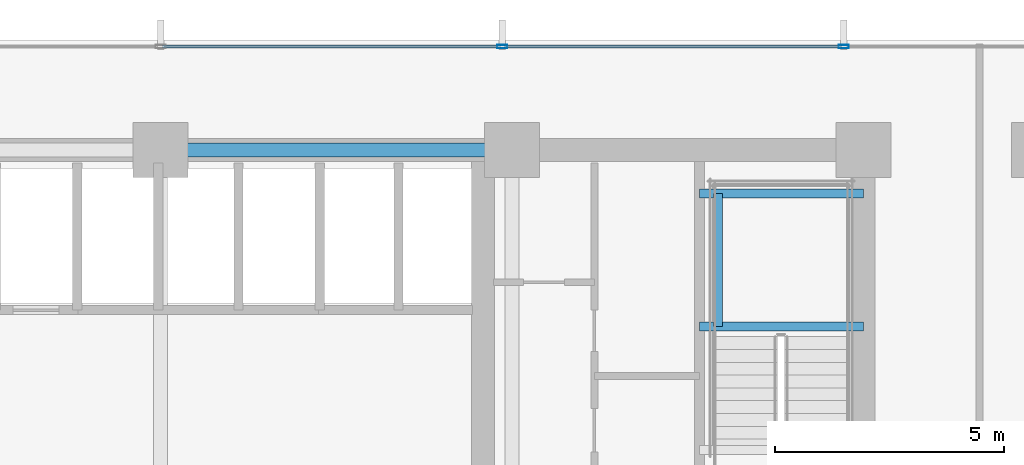
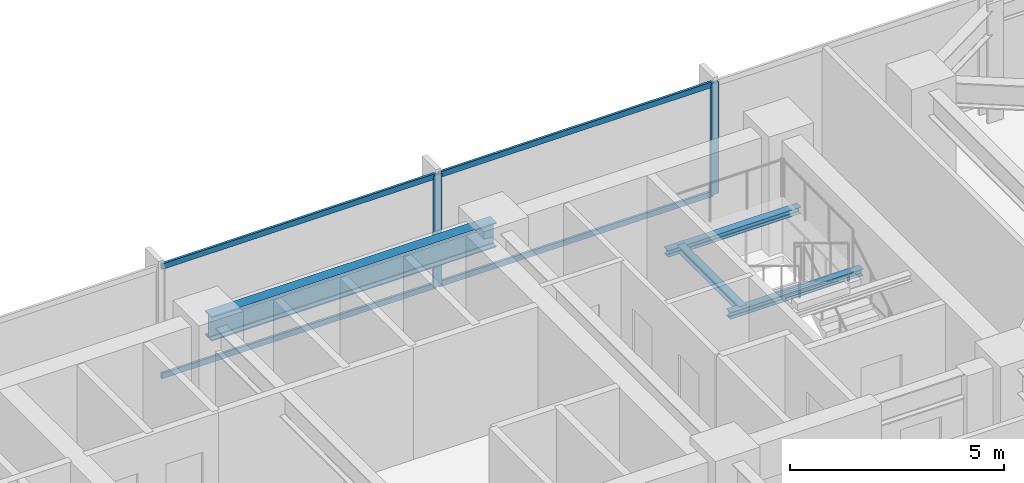
# One storey, part 19 of 33: 6 members, 4 beams, 1 element without a shape of its own.
"""IFC4 building model written with IfcOpenShell, lengths in metres."""

import ifcopenshell
import ifcopenshell.guid

model = None  # the IFC model being written
_history = None  # IfcOwnerHistory: only IFC2X3 demands one
_inside = {}  # id of a spatial element -> (the spatial element, [elements in it])
_under = {}  # id of a project, library or spatial element -> (it, [spatial elements below it])
_declared = {}  # id of a project -> (the project, [libraries it declares])
_typed = {}  # id of a type object -> (the type object, [elements of that type])
_made_of = {}  # id of a material, layer set ... -> (it, [elements and type objects made of it])


def new_model(schema):
    """Start an empty IFC model of exactly this schema.

    Asked for "IFC4X3", IfcOpenShell would pick the latest addendum, in which some entities
    have other attributes; the version numbers below select the first issue.
    IFC2X3 requires an IfcOwnerHistory on every rooted entity: one is made here for all.
    """
    global model, _history
    if schema == "IFC4X3":
        model = ifcopenshell.file(schema_version=(4, 3, 0, 0))
    else:
        model = ifcopenshell.file(schema=schema)
    _inside.clear()
    _under.clear()
    _declared.clear()
    _typed.clear()
    _made_of.clear()
    _history = None
    if model.schema == "IFC2X3":
        org = make("IfcOrganization", Name="unknown")
        user = make(
            "IfcPersonAndOrganization",
            ThePerson=make("IfcPerson", FamilyName="unknown"),
            TheOrganization=org,
        )
        app = make(
            "IfcApplication",
            ApplicationDeveloper=org,
            Version="unknown",
            ApplicationFullName="unknown",
            ApplicationIdentifier="unknown",
        )
        _history = make(
            "IfcOwnerHistory",
            OwningUser=user,
            OwningApplication=app,
            ChangeAction="ADDED",
            CreationDate=0,
        )
    return model


def make(cls, **values):
    """One entity of the class cls with the attributes given. An attribute that is None is left unset."""
    return model.create_entity(
        cls, **{name: value for name, value in values.items() if value is not None}
    )


def rooted(cls, **values):
    """An entity with a GlobalId (a new one), such as an element, a storey or a relation."""
    return make(cls, GlobalId=ifcopenshell.guid.new(), OwnerHistory=_history, **values)


def si_unit(unit_type, name, prefix=None):
    """IfcSIUnit, for example si_unit("LENGTHUNIT", "METRE", prefix="MILLI")."""
    return make("IfcSIUnit", UnitType=unit_type, Prefix=prefix, Name=name)


def assignment(units):
    """IfcUnitAssignment: the units of a project."""
    return None if units is None else make("IfcUnitAssignment", Units=units)


def point(xyz):
    """IfcCartesianPoint."""
    return None if xyz is None else make("IfcCartesianPoint", Coordinates=xyz)


def direction(xyz):
    """IfcDirection."""
    return None if xyz is None else make("IfcDirection", DirectionRatios=xyz)


def frame(location, z_axis=None, x_axis=None):
    """IfcAxis2Placement3D, a coordinate frame: its origin and axes. An axis left out is left unset."""
    return make(
        "IfcAxis2Placement3D",
        Location=point(location),
        Axis=direction(z_axis),
        RefDirection=direction(x_axis),
    )


def frame_2d(location, x_axis=None):
    """IfcAxis2Placement2D, a coordinate frame in the plane: its origin and x axis."""
    return make(
        "IfcAxis2Placement2D", Location=point(location), RefDirection=direction(x_axis)
    )


def origin():
    """The frame at (0, 0, 0) with its axes left unset."""
    return frame((0.0, 0.0, 0.0))


def origin_2d():
    """The frame at (0, 0) in the plane with its x axis left unset."""
    return frame_2d((0.0, 0.0))


def place(relative_to, where):
    """IfcLocalPlacement: puts the frame where relative to a parent placement (None: the world)."""
    return make(
        "IfcLocalPlacement", PlacementRelTo=relative_to, RelativePlacement=where
    )


def context(
    kind, dimensions, precision=None, world=None, true_north=None, identifier=None
):
    """IfcGeometricRepresentationContext, for example the 3D "Model" context."""
    return make(
        "IfcGeometricRepresentationContext",
        ContextIdentifier=identifier,
        ContextType=kind,
        CoordinateSpaceDimension=dimensions,
        Precision=precision,
        WorldCoordinateSystem=world,
        TrueNorth=true_north,
    )


def subcontext(parent, identifier, kind, view, scale=None):
    """IfcGeometricRepresentationSubContext, for example "Body" below "Model"."""
    return make(
        "IfcGeometricRepresentationSubContext",
        ContextIdentifier=identifier,
        ContextType=kind,
        ParentContext=parent,
        TargetScale=scale,
        TargetView=view,
    )


def project(units=None, contexts=None):
    """IfcProject with its units and contexts."""
    return rooted(
        "IfcProject",
        Name="project",
        RepresentationContexts=contexts,
        UnitsInContext=assignment(units),
    )


def spatial(cls, under=None, at=None, **own):
    """A site, building, storey or space (cls), placed at a placement, below another one or the project."""
    s = rooted(cls, ObjectPlacement=at, **own)
    if under is not None:
        _under.setdefault(under.id(), (under, []))[1].append(s)
    return s


def profile(cls, at=None, kind="AREA", **sizes):
    """A parametric profile (cls). Its sizes go by their IFC names, for example OverallWidth=200.0."""
    return make(cls, ProfileType=kind, Position=at, **sizes)


def hollow_rectangle(**sizes):
    """IfcRectangleHollowProfileDef."""
    return profile("IfcRectangleHollowProfileDef", **sizes)


def i_section(**sizes):
    """IfcIShapeProfileDef."""
    return profile("IfcIShapeProfileDef", **sizes)


def extrude(swept, where, along, depth):
    """IfcExtrudedAreaSolid: the profile swept, set in the frame where, extruded along a direction by depth."""
    return make(
        "IfcExtrudedAreaSolid",
        SweptArea=swept,
        Position=where,
        ExtrudedDirection=direction(along),
        Depth=depth,
    )


def shape(context_of_items, identifier, shape_type, items):
    """IfcShapeRepresentation: the items that make up one representation, for example the "Body"."""
    return make(
        "IfcShapeRepresentation",
        ContextOfItems=context_of_items,
        RepresentationIdentifier=identifier,
        RepresentationType=shape_type,
        Items=items,
    )


def material(Name=None, Category=None):
    """IfcMaterial."""
    return make("IfcMaterial", Name=Name, Category=Category)


def material_profile(
    of_material, cross_section, Name=None, Category=None, Priority=None
):
    """IfcMaterialProfile: a cross section and its material."""
    return make(
        "IfcMaterialProfile",
        Name=Name,
        Material=of_material,
        Profile=cross_section,
        Priority=Priority,
        Category=Category,
    )


def profile_set(profiles, Name=None, composite=None):
    """IfcMaterialProfileSet."""
    return make(
        "IfcMaterialProfileSet",
        Name=Name,
        MaterialProfiles=profiles,
        CompositeProfile=composite,
    )


def made_of(thing, what):
    """Note that an element or type object is made of a material, layer set ...; save() writes the relation."""
    if what is not None:
        _made_of.setdefault(what.id(), (what, []))[1].append(thing)
    return thing


def type_object(cls, material=None, **own):
    """A type object (cls), such as IfcWallType, which elements share."""
    return made_of(rooted(cls, **own), material)


def element(
    cls,
    number,
    at=None,
    inside=None,
    cuts=None,
    type_object=None,
    material=None,
    context=None,
    identifier="Body",
    shape_type=None,
    held_by="IfcProductDefinitionShape",
    body=None,
    shapes=None,
    **own,
):
    """One element of the class cls, such as IfcWall. Its Tag is "e" and its number.

    at: its placement. inside: the storey or other place that contains it. cuts: it is an
    opening in that element (IfcRelVoidsElement). A single representation is given by context,
    identifier, shape_type and body (its items); several are given by shapes. held_by: the class
    of the entity that holds the representations. save() writes the other relations.
    """
    e = rooted(cls, Tag="e%d" % number, ObjectPlacement=at, **own)
    if body is not None:
        shapes = [shape(context, identifier, shape_type, body)]
    if shapes is not None:
        e.Representation = make(held_by, Representations=shapes)
    if inside is not None:
        _inside.setdefault(inside.id(), (inside, []))[1].append(e)
    if cuts is not None:
        rooted(
            "IfcRelVoidsElement", RelatingBuildingElement=cuts, RelatedOpeningElement=e
        )
    if type_object is not None:
        _typed.setdefault(type_object.id(), (type_object, []))[1].append(e)
    return made_of(e, material)


def aggregate(whole, parts):
    """IfcRelAggregates: a whole, such as a stair, and the parts it consists of."""
    return rooted("IfcRelAggregates", RelatingObject=whole, RelatedObjects=parts)


def save(model, path):
    """Write the relations noted so far, then the file.

    IfcRelAggregates (storeys below a building ...), IfcRelContainedInSpatialStructure (elements
    in a storey), IfcRelDefinesByType, IfcRelAssociatesMaterial and IfcRelDeclares: one each for
    every whole, place, type object, material and project.
    """
    for whole, parts in _under.values():
        aggregate(whole, parts)
    for where, things in _inside.values():
        rooted(
            "IfcRelContainedInSpatialStructure",
            RelatedElements=things,
            RelatingStructure=where,
        )
    for kind, things in _typed.values():
        rooted("IfcRelDefinesByType", RelatedObjects=things, RelatingType=kind)
    for what, things in _made_of.values():
        rooted("IfcRelAssociatesMaterial", RelatedObjects=things, RelatingMaterial=what)
    for by, libraries in _declared.values():
        rooted("IfcRelDeclares", RelatingContext=by, RelatedDefinitions=libraries)
    model.write(path)


model = new_model("IFC4")

# Units and contexts
model_context = context("Model", 3, precision=1e-05, world=origin(), true_north=direction((0.0, 1.0)))
body_context = subcontext(model_context, "Body", "Model", "MODEL_VIEW")
ifc_project = project(units=[si_unit("LENGTHUNIT", "METRE"), si_unit("AREAUNIT", "SQUARE_METRE"), si_unit("VOLUMEUNIT", "CUBIC_METRE"), si_unit("PLANEANGLEUNIT", "RADIAN"), si_unit("MASSUNIT", "GRAM", prefix="KILO")], contexts=[model_context])

# Site, building, storey
site_placement = place(None, origin())
site = spatial("IfcSite", under=ifc_project, at=site_placement, CompositionType="ELEMENT")
building_placement = place(site_placement, origin())
building = spatial("IfcBuilding", under=site, at=building_placement, Name="Yelkora Congress Tower", CompositionType="ELEMENT")
storey_placement = place(building_placement, frame((0.0, 0.0, 64.39990234375)))
storey = spatial("IfcBuildingStorey", under=building, at=storey_placement, Name="L16", CompositionType="ELEMENT", Elevation=64.39990234375)

# Beams
ifc_material_1 = material(Name="Steel S355J2", Category="steel")
ifc_material_profile_1 = material_profile(ifc_material_1, i_section(OverallWidth=0.300048828125, OverallDepth=0.699951171875, WebThickness=0.01708984375, FlangeThickness=0.031982421875, FilletRadius=0.027099609375, at=origin_2d()), Name="HEB 700")
ifc_profile_set_1 = profile_set([ifc_material_profile_1], Name="Steel S355J2")
beam_type_1 = type_object("IfcBeamType", Name="BM-GIRD-HEB700", PredefinedType="BEAM", material=ifc_profile_set_1)
beam_1_placement = place(storey_placement, frame((38.39990234375, 46.199951171875, 2.830078125), z_axis=(1.0, 0.0, 0.0), x_axis=(0.0, 1.0, 0.0)))
element("IfcBeam", 1, at=beam_1_placement, inside=storey, type_object=beam_type_1, Name="L16 Core North Girder 4", PredefinedType="BEAM", context=body_context, shape_type="SweptSolid", body=[
    extrude(i_section(OverallWidth=0.300048828125, OverallDepth=0.699951171875, WebThickness=0.01708984375, FlangeThickness=0.031982421875, FilletRadius=0.027099609375, at=origin_2d()), origin(), (0.0, 0.0, 1.0), 7.68017578125),
])
ifc_material_profile_2 = material_profile(ifc_material_1, i_section(OverallWidth=0.199951171875, OverallDepth=0.18994140625, WebThickness=0.006591796875, FlangeThickness=0.010009765625, FilletRadius=0.01806640625, at=origin_2d()), Name="HEA 200")
ifc_profile_set_2 = profile_set([ifc_material_profile_2], Name="Steel S355J2")
beam_type_2 = type_object("IfcBeamType", Name="BM-LAND-HEA200", PredefinedType="BEAM", material=ifc_profile_set_2)
for number, where, z_axis, x_axis, name in (
    (2, (50.179931640625, 42.340087890625, 1.384765625), (1.0, 0.0, 0.0), (0.0, 1.0, 0.0), "ST-02 L16 Landing Header Beam 1S"),
    (3, (50.179931640625, 45.25, 1.384765625), (1.0, 0.0, 0.0), (0.0, 1.0, 0.0), "ST-02 L16 Landing Header Beam 1N"),
):
    element("IfcBeam", number, at=place(storey_placement, frame(where, z_axis=z_axis, x_axis=x_axis)), inside=storey, type_object=beam_type_2, Name=name, PredefinedType="BEAM", context=body_context, shape_type="SweptSolid", body=[
        extrude(i_section(OverallWidth=0.199951171875, OverallDepth=0.18994140625, WebThickness=0.006591796875, FlangeThickness=0.010009765625, FilletRadius=0.01806640625, at=origin_2d()), origin(), (0.0, 0.0, 1.0), 3.580078125),
    ])
beam_2_placement = place(storey_placement, frame((50.580078125, 42.340087890625, 1.384765625), z_axis=(0.0, 1.0, 0.0), x_axis=(-1.0, 0.0, 0.0)))
element("IfcBeam", 4, at=beam_2_placement, inside=storey, type_object=beam_type_2, Name="ST-02 L16 Landing Trimmer Beam 1M", PredefinedType="BEAM", context=body_context, shape_type="SweptSolid", body=[
    extrude(i_section(OverallWidth=0.199951171875, OverallDepth=0.18994140625, WebThickness=0.006591796875, FlangeThickness=0.010009765625, FilletRadius=0.01806640625, at=origin_2d()), origin(), (0.0, 0.0, 1.0), 2.909912109375),
])

# Curtain wall, members
ifc_material_2 = material(Name="Anodised aluminium and insulated glass", Category="aluminium")
curtain_wall_type = type_object("IfcCurtainWallType", Name="CW-SYS-B1", PredefinedType="NOTDEFINED", material=ifc_material_2)
curtain_wall_placement = place(storey_placement, origin())
curtain_wall = element("IfcCurtainWall", 5, at=curtain_wall_placement, inside=storey, type_object=curtain_wall_type, Name="L16 Unitised Curtain Wall 10", PredefinedType="NOTDEFINED")
ifc_material_3 = material(Name="Anodised aluminium 6063-T6", Category="aluminium")
ifc_material_profile_3 = material_profile(ifc_material_3, hollow_rectangle(XDim=0.074951171875, YDim=0.219970703125, WallThickness=0.0048828125, at=origin_2d()), Name="ALU 75x220x5")
ifc_profile_set_3 = profile_set([ifc_material_profile_3], Name="Anodised aluminium 6063-T6")
member_type_1 = type_object("IfcMemberType", Name="MEM-ML-B1", PredefinedType="MULLION", material=ifc_profile_set_3)
member_1_placement = place(storey_placement, frame((45.864990234375, 48.4599609375, 0.0), z_axis=(0.0, 0.0, 1.0), x_axis=(0.0, 1.0, 0.0)))
member_1 = element("IfcMember", 6, at=member_1_placement, type_object=member_type_1, Name="CW-B1 mullion 6", PredefinedType="MULLION", context=body_context, shape_type="SweptSolid", body=[
    extrude(hollow_rectangle(XDim=0.074951171875, YDim=0.219970703125, WallThickness=0.0048828125, at=origin_2d()), origin(), (0.0, 0.0, 1.0), 3.18017578125),
])
member_2_placement = place(storey_placement, frame((53.330078125, 48.4599609375, 0.0), z_axis=(0.0, 0.0, 1.0), x_axis=(0.0, 1.0, 0.0)))
member_2 = element("IfcMember", 7, at=member_2_placement, type_object=member_type_1, Name="CW-B1 mullion 7", PredefinedType="MULLION", context=body_context, shape_type="SweptSolid", body=[
    extrude(hollow_rectangle(XDim=0.074951171875, YDim=0.219970703125, WallThickness=0.0048828125, at=origin_2d()), origin(), (0.0, 0.0, 1.0), 3.18017578125),
])
ifc_material_profile_4 = material_profile(ifc_material_3, hollow_rectangle(XDim=0.06494140625, YDim=0.159912109375, WallThickness=0.00390625, at=origin_2d()), Name="ALU 65x160x4")
ifc_profile_set_4 = profile_set([ifc_material_profile_4], Name="Anodised aluminium 6063-T6")
member_type_2 = type_object("IfcMemberType", Name="MEM-TR-B1", PredefinedType="USERDEFINED", material=ifc_profile_set_4)
member_3_placement = place(storey_placement, frame((38.4375, 48.4599609375, 0.03271484375), z_axis=(1.0, 0.0, 0.0), x_axis=(0.0, 1.0, 0.0)))
member_3 = element("IfcMember", 8, at=member_3_placement, type_object=member_type_2, Name="CW-B1 transom 5.1", ObjectType="TRANSOM", PredefinedType="USERDEFINED", context=body_context, shape_type="SweptSolid", body=[
    extrude(hollow_rectangle(XDim=0.06494140625, YDim=0.159912109375, WallThickness=0.00390625, at=origin_2d()), origin(), (0.0, 0.0, 1.0), 7.389892578125),
])
member_4_placement = place(storey_placement, frame((38.4375, 48.4599609375, 3.147705078125), z_axis=(1.0, 0.0, 0.0), x_axis=(0.0, 1.0, 0.0)))
member_4 = element("IfcMember", 9, at=member_4_placement, type_object=member_type_2, Name="CW-B1 transom 5.2", ObjectType="TRANSOM", PredefinedType="USERDEFINED", context=body_context, shape_type="SweptSolid", body=[
    extrude(hollow_rectangle(XDim=0.06494140625, YDim=0.159912109375, WallThickness=0.00390625, at=origin_2d()), origin(), (0.0, 0.0, 1.0), 7.389892578125),
])
member_5_placement = place(storey_placement, frame((45.902587890625, 48.4599609375, 0.03271484375), z_axis=(1.0, 0.0, 0.0), x_axis=(0.0, 1.0, 0.0)))
member_5 = element("IfcMember", 10, at=member_5_placement, type_object=member_type_2, Name="CW-B1 transom 6.1", ObjectType="TRANSOM", PredefinedType="USERDEFINED", context=body_context, shape_type="SweptSolid", body=[
    extrude(hollow_rectangle(XDim=0.06494140625, YDim=0.159912109375, WallThickness=0.00390625, at=origin_2d()), origin(), (0.0, 0.0, 1.0), 7.389892578125),
])
member_6_placement = place(storey_placement, frame((45.902587890625, 48.4599609375, 3.147705078125), z_axis=(1.0, 0.0, 0.0), x_axis=(0.0, 1.0, 0.0)))
member_6 = element("IfcMember", 11, at=member_6_placement, type_object=member_type_2, Name="CW-B1 transom 6.2", ObjectType="TRANSOM", PredefinedType="USERDEFINED", context=body_context, shape_type="SweptSolid", body=[
    extrude(hollow_rectangle(XDim=0.06494140625, YDim=0.159912109375, WallThickness=0.00390625, at=origin_2d()), origin(), (0.0, 0.0, 1.0), 7.389892578125),
])
aggregate(curtain_wall, [member_1, member_2, member_3, member_4, member_5, member_6])

save(model, "model.ifc")
